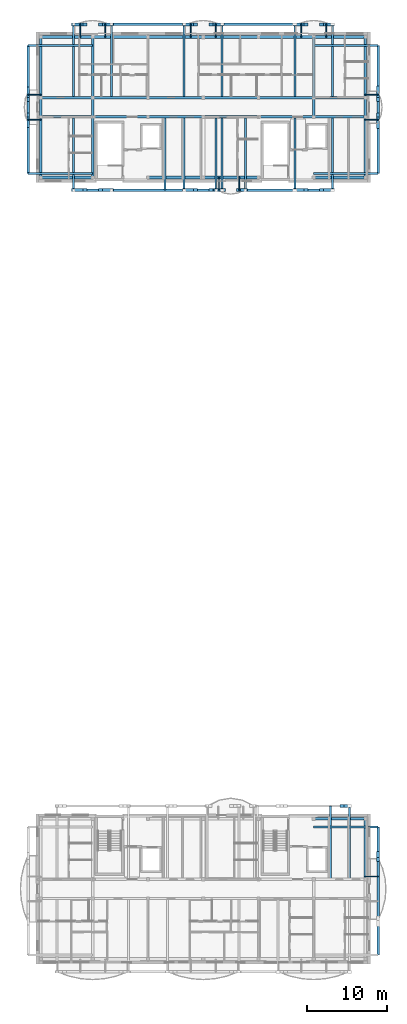
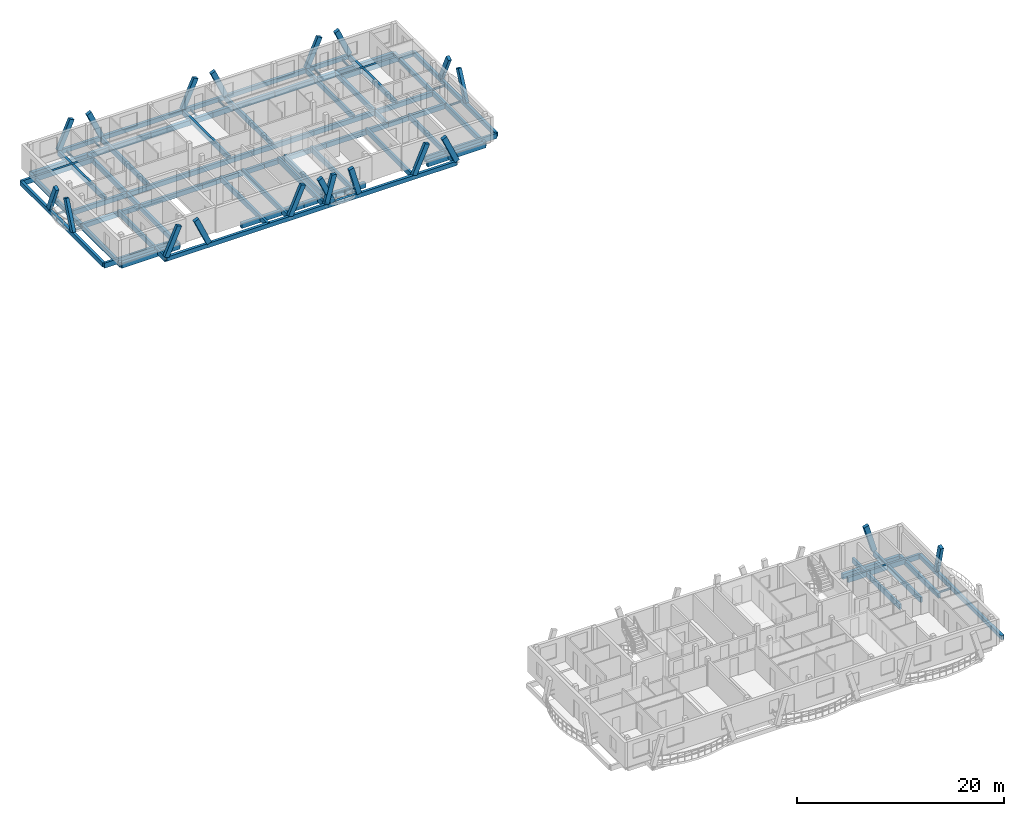
# One storey, part 2 of 18: 74 beams, 20 members.
"""IFC4 building model written with IfcOpenShell, lengths in metres."""

import ifcopenshell
import ifcopenshell.guid

model = None  # the IFC model being written
_history = None  # IfcOwnerHistory: only IFC2X3 demands one
_inside = {}  # id of a spatial element -> (the spatial element, [elements in it])
_under = {}  # id of a project, library or spatial element -> (it, [spatial elements below it])
_declared = {}  # id of a project -> (the project, [libraries it declares])
_typed = {}  # id of a type object -> (the type object, [elements of that type])
_made_of = {}  # id of a material, layer set ... -> (it, [elements and type objects made of it])


def new_model(schema):
    """Start an empty IFC model of exactly this schema.

    Asked for "IFC4X3", IfcOpenShell would pick the latest addendum, in which some entities
    have other attributes; the version numbers below select the first issue.
    IFC2X3 requires an IfcOwnerHistory on every rooted entity: one is made here for all.
    """
    global model, _history
    if schema == "IFC4X3":
        model = ifcopenshell.file(schema_version=(4, 3, 0, 0))
    else:
        model = ifcopenshell.file(schema=schema)
    _inside.clear()
    _under.clear()
    _declared.clear()
    _typed.clear()
    _made_of.clear()
    _history = None
    if model.schema == "IFC2X3":
        org = make("IfcOrganization", Name="unknown")
        user = make(
            "IfcPersonAndOrganization",
            ThePerson=make("IfcPerson", FamilyName="unknown"),
            TheOrganization=org,
        )
        app = make(
            "IfcApplication",
            ApplicationDeveloper=org,
            Version="unknown",
            ApplicationFullName="unknown",
            ApplicationIdentifier="unknown",
        )
        _history = make(
            "IfcOwnerHistory",
            OwningUser=user,
            OwningApplication=app,
            ChangeAction="ADDED",
            CreationDate=0,
        )
    return model


def make(cls, **values):
    """One entity of the class cls with the attributes given. An attribute that is None is left unset."""
    return model.create_entity(
        cls, **{name: value for name, value in values.items() if value is not None}
    )


def rooted(cls, **values):
    """An entity with a GlobalId (a new one), such as an element, a storey or a relation."""
    return make(cls, GlobalId=ifcopenshell.guid.new(), OwnerHistory=_history, **values)


def si_unit(unit_type, name, prefix=None):
    """IfcSIUnit, for example si_unit("LENGTHUNIT", "METRE", prefix="MILLI")."""
    return make("IfcSIUnit", UnitType=unit_type, Prefix=prefix, Name=name)


def assignment(units):
    """IfcUnitAssignment: the units of a project."""
    return None if units is None else make("IfcUnitAssignment", Units=units)


def point(xyz):
    """IfcCartesianPoint."""
    return None if xyz is None else make("IfcCartesianPoint", Coordinates=xyz)


def direction(xyz):
    """IfcDirection."""
    return None if xyz is None else make("IfcDirection", DirectionRatios=xyz)


def frame(location, z_axis=None, x_axis=None):
    """IfcAxis2Placement3D, a coordinate frame: its origin and axes. An axis left out is left unset."""
    return make(
        "IfcAxis2Placement3D",
        Location=point(location),
        Axis=direction(z_axis),
        RefDirection=direction(x_axis),
    )


def frame_2d(location, x_axis=None):
    """IfcAxis2Placement2D, a coordinate frame in the plane: its origin and x axis."""
    return make(
        "IfcAxis2Placement2D", Location=point(location), RefDirection=direction(x_axis)
    )


def origin():
    """The frame at (0, 0, 0) with its axes left unset."""
    return frame((0.0, 0.0, 0.0))


def origin_2d():
    """The frame at (0, 0) in the plane with its x axis left unset."""
    return frame_2d((0.0, 0.0))


def place(relative_to, where):
    """IfcLocalPlacement: puts the frame where relative to a parent placement (None: the world)."""
    return make(
        "IfcLocalPlacement", PlacementRelTo=relative_to, RelativePlacement=where
    )


def context(
    kind, dimensions, precision=None, world=None, true_north=None, identifier=None
):
    """IfcGeometricRepresentationContext, for example the 3D "Model" context."""
    return make(
        "IfcGeometricRepresentationContext",
        ContextIdentifier=identifier,
        ContextType=kind,
        CoordinateSpaceDimension=dimensions,
        Precision=precision,
        WorldCoordinateSystem=world,
        TrueNorth=true_north,
    )


def subcontext(parent, identifier, kind, view, scale=None):
    """IfcGeometricRepresentationSubContext, for example "Body" below "Model"."""
    return make(
        "IfcGeometricRepresentationSubContext",
        ContextIdentifier=identifier,
        ContextType=kind,
        ParentContext=parent,
        TargetScale=scale,
        TargetView=view,
    )


def project(units=None, contexts=None):
    """IfcProject with its units and contexts."""
    return rooted(
        "IfcProject",
        Name="project",
        RepresentationContexts=contexts,
        UnitsInContext=assignment(units),
    )


def spatial(cls, under=None, at=None, **own):
    """A site, building, storey or space (cls), placed at a placement, below another one or the project."""
    s = rooted(cls, ObjectPlacement=at, **own)
    if under is not None:
        _under.setdefault(under.id(), (under, []))[1].append(s)
    return s


def profile(cls, at=None, kind="AREA", **sizes):
    """A parametric profile (cls). Its sizes go by their IFC names, for example OverallWidth=200.0."""
    return make(cls, ProfileType=kind, Position=at, **sizes)


def rectangle(**sizes):
    """IfcRectangleProfileDef."""
    return profile("IfcRectangleProfileDef", **sizes)


def i_section(**sizes):
    """IfcIShapeProfileDef."""
    return profile("IfcIShapeProfileDef", **sizes)


def extrude(swept, where, along, depth):
    """IfcExtrudedAreaSolid: the profile swept, set in the frame where, extruded along a direction by depth."""
    return make(
        "IfcExtrudedAreaSolid",
        SweptArea=swept,
        Position=where,
        ExtrudedDirection=direction(along),
        Depth=depth,
    )


def shape(context_of_items, identifier, shape_type, items):
    """IfcShapeRepresentation: the items that make up one representation, for example the "Body"."""
    return make(
        "IfcShapeRepresentation",
        ContextOfItems=context_of_items,
        RepresentationIdentifier=identifier,
        RepresentationType=shape_type,
        Items=items,
    )


def material(Name=None, Category=None):
    """IfcMaterial."""
    return make("IfcMaterial", Name=Name, Category=Category)


def material_profile(
    of_material, cross_section, Name=None, Category=None, Priority=None
):
    """IfcMaterialProfile: a cross section and its material."""
    return make(
        "IfcMaterialProfile",
        Name=Name,
        Material=of_material,
        Profile=cross_section,
        Priority=Priority,
        Category=Category,
    )


def profile_set(profiles, Name=None, composite=None):
    """IfcMaterialProfileSet."""
    return make(
        "IfcMaterialProfileSet",
        Name=Name,
        MaterialProfiles=profiles,
        CompositeProfile=composite,
    )


def made_of(thing, what):
    """Note that an element or type object is made of a material, layer set ...; save() writes the relation."""
    if what is not None:
        _made_of.setdefault(what.id(), (what, []))[1].append(thing)
    return thing


def type_object(cls, material=None, **own):
    """A type object (cls), such as IfcWallType, which elements share."""
    return made_of(rooted(cls, **own), material)


def element(
    cls,
    number,
    at=None,
    inside=None,
    cuts=None,
    type_object=None,
    material=None,
    context=None,
    identifier="Body",
    shape_type=None,
    held_by="IfcProductDefinitionShape",
    body=None,
    shapes=None,
    **own,
):
    """One element of the class cls, such as IfcWall. Its Tag is "e" and its number.

    at: its placement. inside: the storey or other place that contains it. cuts: it is an
    opening in that element (IfcRelVoidsElement). A single representation is given by context,
    identifier, shape_type and body (its items); several are given by shapes. held_by: the class
    of the entity that holds the representations. save() writes the other relations.
    """
    e = rooted(cls, Tag="e%d" % number, ObjectPlacement=at, **own)
    if body is not None:
        shapes = [shape(context, identifier, shape_type, body)]
    if shapes is not None:
        e.Representation = make(held_by, Representations=shapes)
    if inside is not None:
        _inside.setdefault(inside.id(), (inside, []))[1].append(e)
    if cuts is not None:
        rooted(
            "IfcRelVoidsElement", RelatingBuildingElement=cuts, RelatedOpeningElement=e
        )
    if type_object is not None:
        _typed.setdefault(type_object.id(), (type_object, []))[1].append(e)
    return made_of(e, material)


def aggregate(whole, parts):
    """IfcRelAggregates: a whole, such as a stair, and the parts it consists of."""
    return rooted("IfcRelAggregates", RelatingObject=whole, RelatedObjects=parts)


def save(model, path):
    """Write the relations noted so far, then the file.

    IfcRelAggregates (storeys below a building ...), IfcRelContainedInSpatialStructure (elements
    in a storey), IfcRelDefinesByType, IfcRelAssociatesMaterial and IfcRelDeclares: one each for
    every whole, place, type object, material and project.
    """
    for whole, parts in _under.values():
        aggregate(whole, parts)
    for where, things in _inside.values():
        rooted(
            "IfcRelContainedInSpatialStructure",
            RelatedElements=things,
            RelatingStructure=where,
        )
    for kind, things in _typed.values():
        rooted("IfcRelDefinesByType", RelatedObjects=things, RelatingType=kind)
    for what, things in _made_of.values():
        rooted("IfcRelAssociatesMaterial", RelatedObjects=things, RelatingMaterial=what)
    for by, libraries in _declared.values():
        rooted("IfcRelDeclares", RelatingContext=by, RelatedDefinitions=libraries)
    model.write(path)


model = new_model("IFC4")

# Units and contexts
model_context = context("Model", 3, precision=1e-05, world=origin(), true_north=direction((0.0, 1.0)))
body_context = subcontext(model_context, "Body", "Model", "MODEL_VIEW")
ifc_project = project(units=[si_unit("LENGTHUNIT", "METRE"), si_unit("AREAUNIT", "SQUARE_METRE"), si_unit("VOLUMEUNIT", "CUBIC_METRE"), si_unit("PLANEANGLEUNIT", "RADIAN"), si_unit("MASSUNIT", "GRAM", prefix="KILO")], contexts=[model_context])

# Site, building, storey
site_placement = place(None, origin())
site = spatial("IfcSite", under=ifc_project, at=site_placement, CompositionType="ELEMENT")
building_placement = place(site_placement, origin())
building = spatial("IfcBuilding", under=site, at=building_placement, Name="Zavelmont Quarter", CompositionType="ELEMENT")
storey_placement = place(building_placement, frame((0.0, 0.0, 40.0)))
storey = spatial("IfcBuildingStorey", under=building, at=storey_placement, Name="L12", CompositionType="ELEMENT", Elevation=40.0)

# Beams
ifc_material_1 = material(Name="Concrete C35/45", Category="concrete")
ifc_material_profile_1 = material_profile(ifc_material_1, rectangle(XDim=0.35009765625, YDim=0.60009765625, at=origin_2d()), Name="RC350X600")
ifc_profile_set_1 = profile_set([ifc_material_profile_1], Name="Concrete C35/45")
beam_type_1 = type_object("IfcBeamType", Name="BM01", PredefinedType="SPANDREL", material=ifc_profile_set_1)
for number, where, z_axis, x_axis, name in (
    (1, (34.5, 17.9599609375, -0.530029296875), (1.0, 0.0, 0.0), (0.0, 1.0, 0.0), "L12 beam BM01 6/D to 7/D"),
    (2, (0.43994140625, 98.0400390625, -0.530029296875), (1.0, 0.0, 0.0), (0.0, 1.0, 0.0), "L12 beam BM01 1/P to 2/P"),
):
    element("IfcBeam", number, at=place(storey_placement, frame(where, z_axis=z_axis, x_axis=x_axis)), inside=storey, type_object=beam_type_1, Name=name, PredefinedType="SPANDREL", context=body_context, shape_type="SweptSolid", body=[
        extrude(rectangle(XDim=0.35009765625, YDim=0.60009765625, at=origin_2d()), origin(), (0.0, 0.0, 1.0), 6.4599609375),
    ])
beam_1_placement = place(storey_placement, frame((13.800048828125, 98.0400390625, -0.530029296875), z_axis=(1.0, 0.0, 0.0), x_axis=(0.0, 1.0, 0.0)))
element("IfcBeam", 3, at=beam_1_placement, inside=storey, type_object=beam_type_1, Name="L12 beam BM01 3/P to 4/P", PredefinedType="SPANDREL", context=body_context, shape_type="SweptSolid", body=[
    extrude(rectangle(XDim=0.35009765625, YDim=0.60009765625, at=origin_2d()), origin(), (0.0, 0.0, 1.0), 6.89990234375),
])
beam_2_placement = place(storey_placement, frame((20.699951171875, 98.0400390625, -0.530029296875), z_axis=(1.0, 0.0, 0.0), x_axis=(0.0, 1.0, 0.0)))
element("IfcBeam", 4, at=beam_2_placement, inside=storey, type_object=beam_type_1, Name="L12 beam BM01 4/P to 5/P", PredefinedType="SPANDREL", context=body_context, shape_type="SweptSolid", body=[
    extrude(rectangle(XDim=0.35009765625, YDim=0.60009765625, at=origin_2d()), origin(), (0.0, 0.0, 1.0), 6.900146484375),
])
for number, where, z_axis, x_axis, name in (
    (5, (34.5, 98.0400390625, -0.530029296875), (1.0, 0.0, 0.0), (0.0, 1.0, 0.0), "L12 beam BM01 6/P to 7/P"),
    (6, (0.43994140625, 115.56005859375, -0.530029296875), (1.0, 0.0, 0.0), (0.0, 1.0, 0.0), "L12 beam BM01 1/S to 2/S"),
):
    element("IfcBeam", number, at=place(storey_placement, frame(where, z_axis=z_axis, x_axis=x_axis)), inside=storey, type_object=beam_type_1, Name=name, PredefinedType="SPANDREL", context=body_context, shape_type="SweptSolid", body=[
        extrude(rectangle(XDim=0.35009765625, YDim=0.60009765625, at=origin_2d()), origin(), (0.0, 0.0, 1.0), 6.4599609375),
    ])
beam_3_placement = place(storey_placement, frame((6.89990234375, 115.56005859375, -0.530029296875), z_axis=(1.0, 0.0, 0.0), x_axis=(0.0, 1.0, 0.0)))
element("IfcBeam", 7, at=beam_3_placement, inside=storey, type_object=beam_type_1, Name="L12 beam BM01 2/S to 3/S", PredefinedType="SPANDREL", context=body_context, shape_type="SweptSolid", body=[
    extrude(rectangle(XDim=0.35009765625, YDim=0.60009765625, at=origin_2d()), origin(), (0.0, 0.0, 1.0), 6.900146484375),
])
beam_4_placement = place(storey_placement, frame((13.800048828125, 115.56005859375, -0.530029296875), z_axis=(1.0, 0.0, 0.0), x_axis=(0.0, 1.0, 0.0)))
element("IfcBeam", 8, at=beam_4_placement, inside=storey, type_object=beam_type_1, Name="L12 beam BM01 3/S to 4/S", PredefinedType="SPANDREL", context=body_context, shape_type="SweptSolid", body=[
    extrude(rectangle(XDim=0.35009765625, YDim=0.60009765625, at=origin_2d()), origin(), (0.0, 0.0, 1.0), 6.89990234375),
])
beam_5_placement = place(storey_placement, frame((20.699951171875, 115.56005859375, -0.530029296875), z_axis=(1.0, 0.0, 0.0), x_axis=(0.0, 1.0, 0.0)))
element("IfcBeam", 9, at=beam_5_placement, inside=storey, type_object=beam_type_1, Name="L12 beam BM01 4/S to 5/S", PredefinedType="SPANDREL", context=body_context, shape_type="SweptSolid", body=[
    extrude(rectangle(XDim=0.35009765625, YDim=0.60009765625, at=origin_2d()), origin(), (0.0, 0.0, 1.0), 6.900146484375),
])
beam_6_placement = place(storey_placement, frame((27.60009765625, 115.56005859375, -0.530029296875), z_axis=(1.0, 0.0, 0.0), x_axis=(0.0, 1.0, 0.0)))
element("IfcBeam", 10, at=beam_6_placement, inside=storey, type_object=beam_type_1, Name="L12 beam BM01 5/S to 6/S", PredefinedType="SPANDREL", context=body_context, shape_type="SweptSolid", body=[
    extrude(rectangle(XDim=0.35009765625, YDim=0.60009765625, at=origin_2d()), origin(), (0.0, 0.0, 1.0), 6.89990234375),
])
beam_7_placement = place(storey_placement, frame((34.5, 115.56005859375, -0.530029296875), z_axis=(1.0, 0.0, 0.0), x_axis=(0.0, 1.0, 0.0)))
element("IfcBeam", 11, at=beam_7_placement, inside=storey, type_object=beam_type_1, Name="L12 beam BM01 6/S to 7/S", PredefinedType="SPANDREL", context=body_context, shape_type="SweptSolid", body=[
    extrude(rectangle(XDim=0.35009765625, YDim=0.60009765625, at=origin_2d()), origin(), (0.0, 0.0, 1.0), 6.4599609375),
])
ifc_material_profile_2 = material_profile(ifc_material_1, rectangle(XDim=0.300048828125, YDim=0.550048828125, at=origin_2d()), Name="RC300X550")
ifc_profile_set_2 = profile_set([ifc_material_profile_2], Name="Concrete C35/45")
beam_type_2 = type_object("IfcBeamType", Name="BM02", PredefinedType="SPANDREL", material=ifc_profile_set_2)
beam_8_placement = place(storey_placement, frame((40.9599609375, 10.39990234375, -0.5048828125), z_axis=(0.0, 1.0, 0.0), x_axis=(-1.0, 0.0, 0.0)))
element("IfcBeam", 12, at=beam_8_placement, inside=storey, type_object=beam_type_2, Name="L12 beam BM02 7/C to 7/D", PredefinedType="SPANDREL", context=body_context, shape_type="SweptSolid", body=[
    extrude(rectangle(XDim=0.300048828125, YDim=0.550048828125, at=origin_2d()), origin(), (0.0, 0.0, 1.0), 7.56005859375),
])
beam_9_placement = place(storey_placement, frame((0.43994140625, 105.60009765625, -0.5048828125), z_axis=(1.0, 0.0, 0.0), x_axis=(0.0, 1.0, 0.0)))
element("IfcBeam", 13, at=beam_9_placement, inside=storey, type_object=beam_type_2, Name="L12 beam BM02 1/Q to 2/Q", PredefinedType="SPANDREL", context=body_context, shape_type="SweptSolid", body=[
    extrude(rectangle(XDim=0.300048828125, YDim=0.550048828125, at=origin_2d()), origin(), (0.0, 0.0, 1.0), 6.4599609375),
])
beam_10_placement = place(storey_placement, frame((6.89990234375, 105.60009765625, -0.5048828125), z_axis=(1.0, 0.0, 0.0), x_axis=(0.0, 1.0, 0.0)))
element("IfcBeam", 14, at=beam_10_placement, inside=storey, type_object=beam_type_2, Name="L12 beam BM02 2/Q to 3/Q", PredefinedType="SPANDREL", context=body_context, shape_type="SweptSolid", body=[
    extrude(rectangle(XDim=0.300048828125, YDim=0.550048828125, at=origin_2d()), origin(), (0.0, 0.0, 1.0), 6.900146484375),
])
beam_11_placement = place(storey_placement, frame((13.800048828125, 105.60009765625, -0.5048828125), z_axis=(1.0, 0.0, 0.0), x_axis=(0.0, 1.0, 0.0)))
element("IfcBeam", 15, at=beam_11_placement, inside=storey, type_object=beam_type_2, Name="L12 beam BM02 3/Q to 4/Q", PredefinedType="SPANDREL", context=body_context, shape_type="SweptSolid", body=[
    extrude(rectangle(XDim=0.300048828125, YDim=0.550048828125, at=origin_2d()), origin(), (0.0, 0.0, 1.0), 6.89990234375),
])
beam_12_placement = place(storey_placement, frame((20.699951171875, 105.60009765625, -0.5048828125), z_axis=(1.0, 0.0, 0.0), x_axis=(0.0, 1.0, 0.0)))
element("IfcBeam", 16, at=beam_12_placement, inside=storey, type_object=beam_type_2, Name="L12 beam BM02 4/Q to 5/Q", PredefinedType="SPANDREL", context=body_context, shape_type="SweptSolid", body=[
    extrude(rectangle(XDim=0.300048828125, YDim=0.550048828125, at=origin_2d()), origin(), (0.0, 0.0, 1.0), 6.900146484375),
])
beam_13_placement = place(storey_placement, frame((27.60009765625, 105.60009765625, -0.5048828125), z_axis=(1.0, 0.0, 0.0), x_axis=(0.0, 1.0, 0.0)))
element("IfcBeam", 17, at=beam_13_placement, inside=storey, type_object=beam_type_2, Name="L12 beam BM02 5/Q to 6/Q", PredefinedType="SPANDREL", context=body_context, shape_type="SweptSolid", body=[
    extrude(rectangle(XDim=0.300048828125, YDim=0.550048828125, at=origin_2d()), origin(), (0.0, 0.0, 1.0), 6.89990234375),
])
for number, where, z_axis, x_axis, name in (
    (18, (34.5, 105.60009765625, -0.5048828125), (1.0, 0.0, 0.0), (0.0, 1.0, 0.0), "L12 beam BM02 6/Q to 7/Q"),
    (19, (0.43994140625, 108.0, -0.5048828125), (1.0, 0.0, 0.0), (0.0, 1.0, 0.0), "L12 beam BM02 1/R to 2/R"),
):
    element("IfcBeam", number, at=place(storey_placement, frame(where, z_axis=z_axis, x_axis=x_axis)), inside=storey, type_object=beam_type_2, Name=name, PredefinedType="SPANDREL", context=body_context, shape_type="SweptSolid", body=[
        extrude(rectangle(XDim=0.300048828125, YDim=0.550048828125, at=origin_2d()), origin(), (0.0, 0.0, 1.0), 6.4599609375),
    ])
beam_14_placement = place(storey_placement, frame((6.89990234375, 108.0, -0.5048828125), z_axis=(1.0, 0.0, 0.0), x_axis=(0.0, 1.0, 0.0)))
element("IfcBeam", 20, at=beam_14_placement, inside=storey, type_object=beam_type_2, Name="L12 beam BM02 2/R to 3/R", PredefinedType="SPANDREL", context=body_context, shape_type="SweptSolid", body=[
    extrude(rectangle(XDim=0.300048828125, YDim=0.550048828125, at=origin_2d()), origin(), (0.0, 0.0, 1.0), 6.900146484375),
])
beam_15_placement = place(storey_placement, frame((13.800048828125, 108.0, -0.5048828125), z_axis=(1.0, 0.0, 0.0), x_axis=(0.0, 1.0, 0.0)))
element("IfcBeam", 21, at=beam_15_placement, inside=storey, type_object=beam_type_2, Name="L12 beam BM02 3/R to 4/R", PredefinedType="SPANDREL", context=body_context, shape_type="SweptSolid", body=[
    extrude(rectangle(XDim=0.300048828125, YDim=0.550048828125, at=origin_2d()), origin(), (0.0, 0.0, 1.0), 6.89990234375),
])
beam_16_placement = place(storey_placement, frame((20.699951171875, 108.0, -0.5048828125), z_axis=(1.0, 0.0, 0.0), x_axis=(0.0, 1.0, 0.0)))
element("IfcBeam", 22, at=beam_16_placement, inside=storey, type_object=beam_type_2, Name="L12 beam BM02 4/R to 5/R", PredefinedType="SPANDREL", context=body_context, shape_type="SweptSolid", body=[
    extrude(rectangle(XDim=0.300048828125, YDim=0.550048828125, at=origin_2d()), origin(), (0.0, 0.0, 1.0), 6.900146484375),
])
beam_17_placement = place(storey_placement, frame((27.60009765625, 108.0, -0.5048828125), z_axis=(1.0, 0.0, 0.0), x_axis=(0.0, 1.0, 0.0)))
element("IfcBeam", 23, at=beam_17_placement, inside=storey, type_object=beam_type_2, Name="L12 beam BM02 5/R to 6/R", PredefinedType="SPANDREL", context=body_context, shape_type="SweptSolid", body=[
    extrude(rectangle(XDim=0.300048828125, YDim=0.550048828125, at=origin_2d()), origin(), (0.0, 0.0, 1.0), 6.89990234375),
])
beam_18_placement = place(storey_placement, frame((34.5, 108.0, -0.5048828125), z_axis=(1.0, 0.0, 0.0), x_axis=(0.0, 1.0, 0.0)))
element("IfcBeam", 24, at=beam_18_placement, inside=storey, type_object=beam_type_2, Name="L12 beam BM02 6/R to 7/R", PredefinedType="SPANDREL", context=body_context, shape_type="SweptSolid", body=[
    extrude(rectangle(XDim=0.300048828125, YDim=0.550048828125, at=origin_2d()), origin(), (0.0, 0.0, 1.0), 6.4599609375),
])
beam_19_placement = place(storey_placement, frame((0.43994140625, 98.0400390625, -0.5048828125), z_axis=(0.0, 1.0, 0.0), x_axis=(-1.0, 0.0, 0.0)))
element("IfcBeam", 25, at=beam_19_placement, inside=storey, type_object=beam_type_2, Name="L12 beam BM02 1/P to 1/Q", PredefinedType="SPANDREL", context=body_context, shape_type="SweptSolid", body=[
    extrude(rectangle(XDim=0.300048828125, YDim=0.550048828125, at=origin_2d()), origin(), (0.0, 0.0, 1.0), 7.56005859375),
])
beam_20_placement = place(storey_placement, frame((0.43994140625, 105.60009765625, -0.5048828125), z_axis=(0.0, 1.0, 0.0), x_axis=(-1.0, 0.0, 0.0)))
element("IfcBeam", 26, at=beam_20_placement, inside=storey, type_object=beam_type_2, Name="L12 beam BM02 1/Q to 1/R", PredefinedType="SPANDREL", context=body_context, shape_type="SweptSolid", body=[
    extrude(rectangle(XDim=0.300048828125, YDim=0.550048828125, at=origin_2d()), origin(), (0.0, 0.0, 1.0), 2.39990234375),
])
for number, where, z_axis, x_axis, name in (
    (27, (0.43994140625, 108.0, -0.5048828125), (0.0, 1.0, 0.0), (-1.0, 0.0, 0.0), "L12 beam BM02 1/R to 1/S"),
    (28, (6.89990234375, 98.0400390625, -0.5048828125), (0.0, 1.0, 0.0), (-1.0, 0.0, 0.0), "L12 beam BM02 2/P to 2/Q"),
):
    element("IfcBeam", number, at=place(storey_placement, frame(where, z_axis=z_axis, x_axis=x_axis)), inside=storey, type_object=beam_type_2, Name=name, PredefinedType="SPANDREL", context=body_context, shape_type="SweptSolid", body=[
        extrude(rectangle(XDim=0.300048828125, YDim=0.550048828125, at=origin_2d()), origin(), (0.0, 0.0, 1.0), 7.56005859375),
    ])
beam_21_placement = place(storey_placement, frame((6.89990234375, 105.60009765625, -0.5048828125), z_axis=(0.0, 1.0, 0.0), x_axis=(-1.0, 0.0, 0.0)))
element("IfcBeam", 29, at=beam_21_placement, inside=storey, type_object=beam_type_2, Name="L12 beam BM02 2/Q to 2/R", PredefinedType="SPANDREL", context=body_context, shape_type="SweptSolid", body=[
    extrude(rectangle(XDim=0.300048828125, YDim=0.550048828125, at=origin_2d()), origin(), (0.0, 0.0, 1.0), 2.39990234375),
])
beam_22_placement = place(storey_placement, frame((6.89990234375, 108.0, -0.5048828125), z_axis=(0.0, 1.0, 0.0), x_axis=(-1.0, 0.0, 0.0)))
element("IfcBeam", 30, at=beam_22_placement, inside=storey, type_object=beam_type_2, Name="L12 beam BM02 2/R to 2/S", PredefinedType="SPANDREL", context=body_context, shape_type="SweptSolid", body=[
    extrude(rectangle(XDim=0.300048828125, YDim=0.550048828125, at=origin_2d()), origin(), (0.0, 0.0, 1.0), 7.56005859375),
])
beam_23_placement = place(storey_placement, frame((34.5, 105.60009765625, -0.5048828125), z_axis=(0.0, 1.0, 0.0), x_axis=(-1.0, 0.0, 0.0)))
element("IfcBeam", 31, at=beam_23_placement, inside=storey, type_object=beam_type_2, Name="L12 beam BM02 6/Q to 6/R", PredefinedType="SPANDREL", context=body_context, shape_type="SweptSolid", body=[
    extrude(rectangle(XDim=0.300048828125, YDim=0.550048828125, at=origin_2d()), origin(), (0.0, 0.0, 1.0), 2.39990234375),
])
for number, where, z_axis, x_axis, name in (
    (32, (34.5, 108.0, -0.5048828125), (0.0, 1.0, 0.0), (-1.0, 0.0, 0.0), "L12 beam BM02 6/R to 6/S"),
    (33, (40.9599609375, 98.0400390625, -0.5048828125), (0.0, 1.0, 0.0), (-1.0, 0.0, 0.0), "L12 beam BM02 7/P to 7/Q"),
):
    element("IfcBeam", number, at=place(storey_placement, frame(where, z_axis=z_axis, x_axis=x_axis)), inside=storey, type_object=beam_type_2, Name=name, PredefinedType="SPANDREL", context=body_context, shape_type="SweptSolid", body=[
        extrude(rectangle(XDim=0.300048828125, YDim=0.550048828125, at=origin_2d()), origin(), (0.0, 0.0, 1.0), 7.56005859375),
    ])
beam_24_placement = place(storey_placement, frame((40.9599609375, 105.60009765625, -0.5048828125), z_axis=(0.0, 1.0, 0.0), x_axis=(-1.0, 0.0, 0.0)))
element("IfcBeam", 34, at=beam_24_placement, inside=storey, type_object=beam_type_2, Name="L12 beam BM02 7/Q to 7/R", PredefinedType="SPANDREL", context=body_context, shape_type="SweptSolid", body=[
    extrude(rectangle(XDim=0.300048828125, YDim=0.550048828125, at=origin_2d()), origin(), (0.0, 0.0, 1.0), 2.39990234375),
])
beam_25_placement = place(storey_placement, frame((40.9599609375, 108.0, -0.5048828125), z_axis=(0.0, 1.0, 0.0), x_axis=(-1.0, 0.0, 0.0)))
element("IfcBeam", 35, at=beam_25_placement, inside=storey, type_object=beam_type_2, Name="L12 beam BM02 7/R to 7/S", PredefinedType="SPANDREL", context=body_context, shape_type="SweptSolid", body=[
    extrude(rectangle(XDim=0.300048828125, YDim=0.550048828125, at=origin_2d()), origin(), (0.0, 0.0, 1.0), 7.56005859375),
])
ifc_material_profile_3 = material_profile(ifc_material_1, rectangle(XDim=0.300048828125, YDim=0.5, at=origin_2d()), Name="RC300X500")
ifc_profile_set_3 = profile_set([ifc_material_profile_3], Name="Concrete C35/45")
beam_type_3 = type_object("IfcBeamType", Name="BM03", PredefinedType="BEAM", material=ifc_profile_set_3)
beam_26_placement = place(storey_placement, frame((42.550048828125, 0.949951171875, -0.25), z_axis=(0.0, 1.0, 0.0), x_axis=(-1.0, 0.0, 0.0)))
element("IfcBeam", 36, at=beam_26_placement, inside=storey, type_object=beam_type_3, Name="L12 beam BM03 7/A to 7/D", PredefinedType="BEAM", context=body_context, shape_type="SweptSolid", body=[
    extrude(rectangle(XDim=0.300048828125, YDim=0.5, at=origin_2d()), origin(), (0.0, 0.0, 1.0), 15.949951171875),
])
for number, where, z_axis, x_axis, name in (
    (37, (4.533935546875, 117.14990234375, -0.25), (1.0, 0.0, 0.0), (0.0, 1.0, 0.0), "L12 beam BM03 2/S to 6/S"),
    (38, (4.533935546875, 96.449951171875, -0.25), (1.0, 0.0, 0.0), (0.0, 1.0, 0.0), "L12 beam BM03 2/P to 6/P"),
):
    element("IfcBeam", number, at=place(storey_placement, frame(where, z_axis=z_axis, x_axis=x_axis)), inside=storey, type_object=beam_type_3, Name=name, PredefinedType="BEAM", context=body_context, shape_type="SweptSolid", body=[
        extrude(rectangle(XDim=0.300048828125, YDim=0.5, at=origin_2d()), origin(), (0.0, 0.0, 1.0), 32.33203125),
    ])
for number, where, z_axis, x_axis, name in (
    (39, (-1.14990234375, 98.550048828125, -0.25), (0.0, 1.0, 0.0), (-1.0, 0.0, 0.0), "L12 beam BM03 1/P to 1/S"),
    (40, (42.550048828125, 98.550048828125, -0.25), (0.0, 1.0, 0.0), (-1.0, 0.0, 0.0), "L12 beam BM03 7/P to 7/S"),
):
    element("IfcBeam", number, at=place(storey_placement, frame(where, z_axis=z_axis, x_axis=x_axis)), inside=storey, type_object=beam_type_3, Name=name, PredefinedType="BEAM", context=body_context, shape_type="SweptSolid", body=[
        extrude(rectangle(XDim=0.300048828125, YDim=0.5, at=origin_2d()), origin(), (0.0, 0.0, 1.0), 15.949951171875),
    ])
ifc_material_2 = material(Name="Steel S355", Category="steel")
ifc_material_profile_4 = material_profile(ifc_material_2, i_section(OverallWidth=0.110107421875, OverallDepth=0.219970703125, WebThickness=0.005859375, FlangeThickness=0.00927734375, at=origin_2d()), Name="IPE 220")
ifc_profile_set_4 = profile_set([ifc_material_profile_4], Name="Steel S355")
beam_type_4 = type_object("IfcBeamType", Name="BM15", PredefinedType="JOIST", material=ifc_profile_set_4)
beam_27_placement = place(storey_placement, frame((40.9599609375, 10.75, -0.366943359375), z_axis=(1.0, 0.0, 0.0), x_axis=(0.0, 1.0, 0.0)))
element("IfcBeam", 41, at=beam_27_placement, inside=storey, type_object=beam_type_4, Name="L12 beam BM15 7/C to 7/C", PredefinedType="JOIST", context=body_context, shape_type="SweptSolid", body=[
    extrude(i_section(OverallWidth=0.110107421875, OverallDepth=0.219970703125, WebThickness=0.005859375, FlangeThickness=0.00927734375, at=origin_2d()), origin(), (0.0, 0.0, 1.0), 1.590087890625),
])
for number, where, z_axis, x_axis, name in (
    (42, (5.35009765625, 115.56005859375, -0.35693359375), (0.0, 1.0, 0.0), (-1.0, 0.0, 0.0), "L12 beam BM15 2/S to 2/S"),
    (43, (8.449951171875, 115.56005859375, -0.35693359375), (0.0, 1.0, 0.0), (-1.0, 0.0, 0.0), "L12 beam BM15 2/S to 2/S"),
    (44, (19.14990234375, 115.56005859375, -0.346923828125), (0.0, 1.0, 0.0), (-1.0, 0.0, 0.0), "L12 beam BM15 4/S to 4/S"),
    (45, (22.25, 115.56005859375, -0.346923828125), (0.0, 1.0, 0.0), (-1.0, 0.0, 0.0), "L12 beam BM15 4/S to 4/S"),
    (46, (32.949951171875, 115.56005859375, -0.366943359375), (0.0, 1.0, 0.0), (-1.0, 0.0, 0.0), "L12 beam BM15 6/S to 6/S"),
    (47, (36.050048828125, 115.56005859375, -0.366943359375), (0.0, 1.0, 0.0), (-1.0, 0.0, 0.0), "L12 beam BM15 6/S to 6/S"),
    (48, (0.43994140625, 105.25, -0.346923828125), (-1.0, 0.0, 0.0), (0.0, -1.0, 0.0), "L12 beam BM15 1/Q to 1/Q"),
    (49, (0.43994140625, 108.35009765625, -0.346923828125), (-1.0, 0.0, 0.0), (0.0, -1.0, 0.0), "L12 beam BM15 1/R to 1/R"),
):
    element("IfcBeam", number, at=place(storey_placement, frame(where, z_axis=z_axis, x_axis=x_axis)), inside=storey, type_object=beam_type_4, Name=name, PredefinedType="JOIST", context=body_context, shape_type="SweptSolid", body=[
        extrude(i_section(OverallWidth=0.110107421875, OverallDepth=0.219970703125, WebThickness=0.005859375, FlangeThickness=0.00927734375, at=origin_2d()), origin(), (0.0, 0.0, 1.0), 1.58984375),
    ])
for number, where, z_axis, x_axis, name in (
    (50, (40.9599609375, 105.25, -0.366943359375), (1.0, 0.0, 0.0), (0.0, 1.0, 0.0), "L12 beam BM15 7/Q to 7/Q"),
    (51, (40.9599609375, 108.35009765625, -0.366943359375), (1.0, 0.0, 0.0), (0.0, 1.0, 0.0), "L12 beam BM15 7/R to 7/R"),
    (52, (22.678466796875, 98.0400390625, -0.35693359375), (0.0, -1.0, 0.0), (1.0, 0.0, 0.0), "L12 beam BM15 4/P to 4/P"),
    (53, (25.20166015625, 98.0400390625, -0.35693359375), (0.0, -1.0, 0.0), (1.0, 0.0, 0.0), "L12 beam BM15 5/P to 5/P"),
):
    element("IfcBeam", number, at=place(storey_placement, frame(where, z_axis=z_axis, x_axis=x_axis)), inside=storey, type_object=beam_type_4, Name=name, PredefinedType="JOIST", context=body_context, shape_type="SweptSolid", body=[
        extrude(i_section(OverallWidth=0.110107421875, OverallDepth=0.219970703125, WebThickness=0.005859375, FlangeThickness=0.00927734375, at=origin_2d()), origin(), (0.0, 0.0, 1.0), 1.590087890625),
    ])
ifc_material_3 = material(Name="Concrete C40/50", Category="concrete")
ifc_material_profile_5 = material_profile(ifc_material_3, rectangle(XDim=0.25, YDim=0.60009765625, at=origin_2d()), Name="RC250X600")
ifc_profile_set_5 = profile_set([ifc_material_profile_5], Name="Concrete C40/50")
beam_type_5 = type_object("IfcBeamType", Name="BM18", PredefinedType="BEAM", material=ifc_profile_set_5)
for number, where, z_axis, x_axis, name in (
    (54, (36.625, 10.39990234375, -0.300048828125), (0.0, 1.0, 0.0), (-1.0, 0.0, 0.0), "L12 beam BM18 6/C to 6/D"),
    (55, (38.965087890625, 10.39990234375, -0.300048828125), (0.0, 1.0, 0.0), (-1.0, 0.0, 0.0), "L12 beam BM18 7/C to 7/D"),
):
    element("IfcBeam", number, at=place(storey_placement, frame(where, z_axis=z_axis, x_axis=x_axis)), inside=storey, type_object=beam_type_5, Name=name, PredefinedType="BEAM", context=body_context, shape_type="SweptSolid", body=[
        extrude(rectangle(XDim=0.25, YDim=0.60009765625, at=origin_2d()), origin(), (0.0, 0.0, 1.0), 9.150146484375),
    ])
beam_28_placement = place(storey_placement, frame((34.5, 16.89990234375, -0.300048828125), z_axis=(1.0, 0.0, 0.0), x_axis=(0.0, 1.0, 0.0)))
element("IfcBeam", 56, at=beam_28_placement, inside=storey, type_object=beam_type_5, Name="L12 beam BM18 6/D to 7/D", PredefinedType="BEAM", context=body_context, shape_type="SweptSolid", body=[
    extrude(rectangle(XDim=0.25, YDim=0.60009765625, at=origin_2d()), origin(), (0.0, 0.0, 1.0), 8.050048828125),
])
for number, where, z_axis, x_axis, name in (
    (57, (4.53369140625, 108.0, -0.300048828125), (0.0, 1.0, 0.0), (-1.0, 0.0, 0.0), "L12 beam BM18 2/R to 2/S"),
    (58, (9.266357421875, 108.0, -0.300048828125), (0.0, 1.0, 0.0), (-1.0, 0.0, 0.0), "L12 beam BM18 2/R to 2/S"),
    (59, (18.33349609375, 108.0, -0.300048828125), (0.0, 1.0, 0.0), (-1.0, 0.0, 0.0), "L12 beam BM18 4/R to 4/S"),
    (60, (23.06640625, 108.0, -0.300048828125), (0.0, 1.0, 0.0), (-1.0, 0.0, 0.0), "L12 beam BM18 4/R to 4/S"),
    (61, (32.133544921875, 108.0, -0.300048828125), (0.0, 1.0, 0.0), (-1.0, 0.0, 0.0), "L12 beam BM18 6/R to 6/S"),
    (62, (36.866455078125, 108.0, -0.300048828125), (0.0, 1.0, 0.0), (-1.0, 0.0, 0.0), "L12 beam BM18 6/R to 6/S"),
):
    element("IfcBeam", number, at=place(storey_placement, frame(where, z_axis=z_axis, x_axis=x_axis)), inside=storey, type_object=beam_type_5, Name=name, PredefinedType="BEAM", context=body_context, shape_type="SweptSolid", body=[
        extrude(rectangle(XDim=0.25, YDim=0.60009765625, at=origin_2d()), origin(), (0.0, 0.0, 1.0), 9.14990234375),
    ])
for number, where, z_axis, x_axis, name in (
    (63, (4.53369140625, 105.60009765625, -0.300048828125), (0.0, -1.0, 0.0), (1.0, 0.0, 0.0), "L12 beam BM18 2/Q to 2/P"),
    (64, (15.925048828125, 105.60009765625, -0.300048828125), (0.0, -1.0, 0.0), (1.0, 0.0, 0.0), "L12 beam BM18 3/Q to 3/P"),
    (65, (18.33349609375, 105.60009765625, -0.300048828125), (0.0, -1.0, 0.0), (1.0, 0.0, 0.0), "L12 beam BM18 4/Q to 4/P"),
    (66, (23.06640625, 105.60009765625, -0.300048828125), (0.0, -1.0, 0.0), (1.0, 0.0, 0.0), "L12 beam BM18 4/Q to 4/P"),
    (67, (32.133544921875, 105.60009765625, -0.300048828125), (0.0, -1.0, 0.0), (1.0, 0.0, 0.0), "L12 beam BM18 6/Q to 6/P"),
    (68, (36.866455078125, 105.60009765625, -0.300048828125), (0.0, -1.0, 0.0), (1.0, 0.0, 0.0), "L12 beam BM18 6/Q to 6/P"),
    (69, (22.328369140625, 105.60009765625, -0.300048828125), (0.0, -1.0, 0.0), (1.0, 0.0, 0.0), "L12 beam BM18 4/Q to 4/P"),
    (70, (25.9716796875, 105.60009765625, -0.300048828125), (0.0, -1.0, 0.0), (1.0, 0.0, 0.0), "L12 beam BM18 5/Q to 5/P"),
):
    element("IfcBeam", number, at=place(storey_placement, frame(where, z_axis=z_axis, x_axis=x_axis)), inside=storey, type_object=beam_type_5, Name=name, PredefinedType="BEAM", context=body_context, shape_type="SweptSolid", body=[
        extrude(rectangle(XDim=0.25, YDim=0.60009765625, at=origin_2d()), origin(), (0.0, 0.0, 1.0), 9.150146484375),
    ])
for number, where, z_axis, x_axis, name in (
    (71, (6.89990234375, 98.550048828125, -0.300048828125), (-1.0, 0.0, 0.0), (0.0, -1.0, 0.0), "L12 beam BM18 2/P to 1/P"),
    (72, (6.89990234375, 114.5, -0.300048828125), (-1.0, 0.0, 0.0), (0.0, -1.0, 0.0), "L12 beam BM18 2/S to 1/S"),
):
    element("IfcBeam", number, at=place(storey_placement, frame(where, z_axis=z_axis, x_axis=x_axis)), inside=storey, type_object=beam_type_5, Name=name, PredefinedType="BEAM", context=body_context, shape_type="SweptSolid", body=[
        extrude(rectangle(XDim=0.25, YDim=0.60009765625, at=origin_2d()), origin(), (0.0, 0.0, 1.0), 8.0498046875),
    ])
for number, where, z_axis, x_axis, name in (
    (73, (34.5, 98.550048828125, -0.300048828125), (1.0, 0.0, 0.0), (0.0, 1.0, 0.0), "L12 beam BM18 6/P to 7/P"),
    (74, (34.5, 114.5, -0.300048828125), (1.0, 0.0, 0.0), (0.0, 1.0, 0.0), "L12 beam BM18 6/S to 7/S"),
):
    element("IfcBeam", number, at=place(storey_placement, frame(where, z_axis=z_axis, x_axis=x_axis)), inside=storey, type_object=beam_type_5, Name=name, PredefinedType="BEAM", context=body_context, shape_type="SweptSolid", body=[
        extrude(rectangle(XDim=0.25, YDim=0.60009765625, at=origin_2d()), origin(), (0.0, 0.0, 1.0), 8.050048828125),
    ])

# Members
ifc_material_4 = material(Name="White architectural precast concrete C40/50", Category="concrete")
ifc_material_profile_6 = material_profile(ifc_material_4, rectangle(XDim=0.360107421875, YDim=0.5400390625, at=origin_2d()), Name="PCR280X420")
ifc_profile_set_6 = profile_set([ifc_material_profile_6], Name="White architectural precast concrete C40/50")
member_type = type_object("IfcMemberType", Name="VR02M", PredefinedType="CHORD", material=ifc_profile_set_6)
member_1_placement = place(storey_placement, frame((38.965087890625, 19.550048828125, 0.0), z_axis=(-0.280818144518, 0.0, 0.959760996139), x_axis=(0.0, -1.0, 0.0)))
element("IfcMember", 75, at=member_1_placement, inside=storey, type_object=member_type, Name="L12 member VR02M 7/D to 7/D", PredefinedType="CHORD", context=body_context, shape_type="SweptSolid", body=[
    extrude(rectangle(XDim=0.360107421875, YDim=0.5400390625, at=origin_2d()), origin(), (0.0, 0.0, 1.0), 3.334228515625),
])
member_2_placement = place(storey_placement, frame((42.550048828125, 13.64013671875, 0.0), z_axis=(0.0, -0.236338337307, 0.971670824055), x_axis=(1.0, 0.0, 0.0)))
element("IfcMember", 76, at=member_2_placement, inside=storey, type_object=member_type, Name="L12 member VR02M 7/C to 7/C", PredefinedType="CHORD", context=body_context, shape_type="SweptSolid", body=[
    extrude(rectangle(XDim=0.360107421875, YDim=0.5400390625, at=origin_2d()), origin(), (0.0, 0.0, 1.0), 3.293212890625),
])
for number, where, z_axis, x_axis, name in (
    (77, (4.53369140625, 117.14990234375, 0.0), (0.404720333768, 0.0, 0.914440512791), (0.0, 1.0, 0.0), "L12 member VR02M 2/S to 2/S"),
    (78, (9.266357421875, 117.14990234375, 0.0), (-0.404720333768, 0.0, 0.914440512791), (0.0, -1.0, 0.0), "L12 member VR02M 2/S to 2/S"),
):
    element("IfcMember", number, at=place(storey_placement, frame(where, z_axis=z_axis, x_axis=x_axis)), inside=storey, type_object=member_type, Name=name, PredefinedType="CHORD", context=body_context, shape_type="SweptSolid", body=[
        extrude(rectangle(XDim=0.360107421875, YDim=0.5400390625, at=origin_2d()), origin(), (0.0, 0.0, 1.0), 3.499267578125),
    ])
for number, where, z_axis, x_axis, name in (
    (79, (18.33349609375, 117.14990234375, 0.0), (0.404778670848, 0.0, 0.914414691279), (0.0, 1.0, 0.0), "L12 member VR02M 4/S to 4/S"),
    (80, (23.06640625, 117.14990234375, 0.0), (-0.404778670848, 0.0, 0.914414691279), (0.0, -1.0, 0.0), "L12 member VR02M 4/S to 4/S"),
    (81, (32.133544921875, 117.14990234375, 0.0), (0.404778670848, 0.0, 0.914414691279), (0.0, 1.0, 0.0), "L12 member VR02M 6/S to 6/S"),
    (82, (36.866455078125, 117.14990234375, 0.0), (-0.404778670848, 0.0, 0.914414691279), (0.0, -1.0, 0.0), "L12 member VR02M 6/S to 6/S"),
):
    element("IfcMember", number, at=place(storey_placement, frame(where, z_axis=z_axis, x_axis=x_axis)), inside=storey, type_object=member_type, Name=name, PredefinedType="CHORD", context=body_context, shape_type="SweptSolid", body=[
        extrude(rectangle(XDim=0.360107421875, YDim=0.5400390625, at=origin_2d()), origin(), (0.0, 0.0, 1.0), 3.49951171875),
    ])
for number, where, z_axis, x_axis, name in (
    (83, (4.53369140625, 96.449951171875, 0.0), (0.404720333768, 0.0, 0.914440512791), (0.0, 1.0, 0.0), "L12 member VR02M 2/P to 2/P"),
    (84, (9.266357421875, 96.449951171875, 0.0), (-0.404720333768, 0.0, 0.914440512791), (0.0, -1.0, 0.0), "L12 member VR02M 2/P to 2/P"),
):
    element("IfcMember", number, at=place(storey_placement, frame(where, z_axis=z_axis, x_axis=x_axis)), inside=storey, type_object=member_type, Name=name, PredefinedType="CHORD", context=body_context, shape_type="SweptSolid", body=[
        extrude(rectangle(XDim=0.360107421875, YDim=0.5400390625, at=origin_2d()), origin(), (0.0, 0.0, 1.0), 3.499267578125),
    ])
for number, where, z_axis, x_axis, name in (
    (85, (18.33349609375, 96.449951171875, 0.0), (0.404778670848, 0.0, 0.914414691279), (0.0, 1.0, 0.0), "L12 member VR02M 4/P to 4/P"),
    (86, (23.06640625, 96.449951171875, 0.0), (-0.404778670848, 0.0, 0.914414691279), (0.0, -1.0, 0.0), "L12 member VR02M 4/P to 4/P"),
    (87, (32.133544921875, 96.449951171875, 0.0), (0.404778670848, 0.0, 0.914414691279), (0.0, 1.0, 0.0), "L12 member VR02M 6/P to 6/P"),
    (88, (36.866455078125, 96.449951171875, 0.0), (-0.404778670848, 0.0, 0.914414691279), (0.0, -1.0, 0.0), "L12 member VR02M 6/P to 6/P"),
):
    element("IfcMember", number, at=place(storey_placement, frame(where, z_axis=z_axis, x_axis=x_axis)), inside=storey, type_object=member_type, Name=name, PredefinedType="CHORD", context=body_context, shape_type="SweptSolid", body=[
        extrude(rectangle(XDim=0.360107421875, YDim=0.5400390625, at=origin_2d()), origin(), (0.0, 0.0, 1.0), 3.49951171875),
    ])
for number, where, z_axis, x_axis, name in (
    (89, (22.328369140625, 96.449951171875, 0.0), (0.262799721535, 0.0, 0.964850406209), (0.0, 1.0, 0.0), "L12 member VR02M 4/P to 4/P"),
    (90, (25.9716796875, 96.449951171875, 0.0), (-0.262799721535, 0.0, 0.964850406209), (0.0, -1.0, 0.0), "L12 member VR02M 5/P to 5/P"),
):
    element("IfcMember", number, at=place(storey_placement, frame(where, z_axis=z_axis, x_axis=x_axis)), inside=storey, type_object=member_type, Name=name, PredefinedType="CHORD", context=body_context, shape_type="SweptSolid", body=[
        extrude(rectangle(XDim=0.360107421875, YDim=0.5400390625, at=origin_2d()), origin(), (0.0, 0.0, 1.0), 3.31640625),
    ])
for number, where, z_axis, x_axis, name in (
    (91, (-1.14990234375, 104.51416015625, 0.0), (0.0, 0.385260190633, 0.922807989515), (-1.0, 0.0, 0.0), "L12 member VR02M 1/Q to 1/Q"),
    (92, (-1.14990234375, 109.085693359375, 0.0), (0.0, -0.385200232458, 0.922833018977), (1.0, 0.0, 0.0), "L12 member VR02M 1/R to 1/R"),
):
    element("IfcMember", number, at=place(storey_placement, frame(where, z_axis=z_axis, x_axis=x_axis)), inside=storey, type_object=member_type, Name=name, PredefinedType="CHORD", context=body_context, shape_type="SweptSolid", body=[
        extrude(rectangle(XDim=0.360107421875, YDim=0.5400390625, at=origin_2d()), origin(), (0.0, 0.0, 1.0), 3.467529296875),
    ])
for number, where, z_axis, x_axis, name in (
    (93, (42.550048828125, 104.367919921875, 0.0), (0.0, 0.420291424029, 0.907389177194), (-1.0, 0.0, 0.0), "L12 member VR02M 7/Q to 7/Q"),
    (94, (42.550048828125, 109.232177734375, 0.0), (0.0, -0.420291424029, 0.907389177194), (1.0, 0.0, 0.0), "L12 member VR02M 7/R to 7/R"),
):
    element("IfcMember", number, at=place(storey_placement, frame(where, z_axis=z_axis, x_axis=x_axis)), inside=storey, type_object=member_type, Name=name, PredefinedType="CHORD", context=body_context, shape_type="SweptSolid", body=[
        extrude(rectangle(XDim=0.360107421875, YDim=0.5400390625, at=origin_2d()), origin(), (0.0, 0.0, 1.0), 3.526611328125),
    ])

save(model, "model.ifc")
